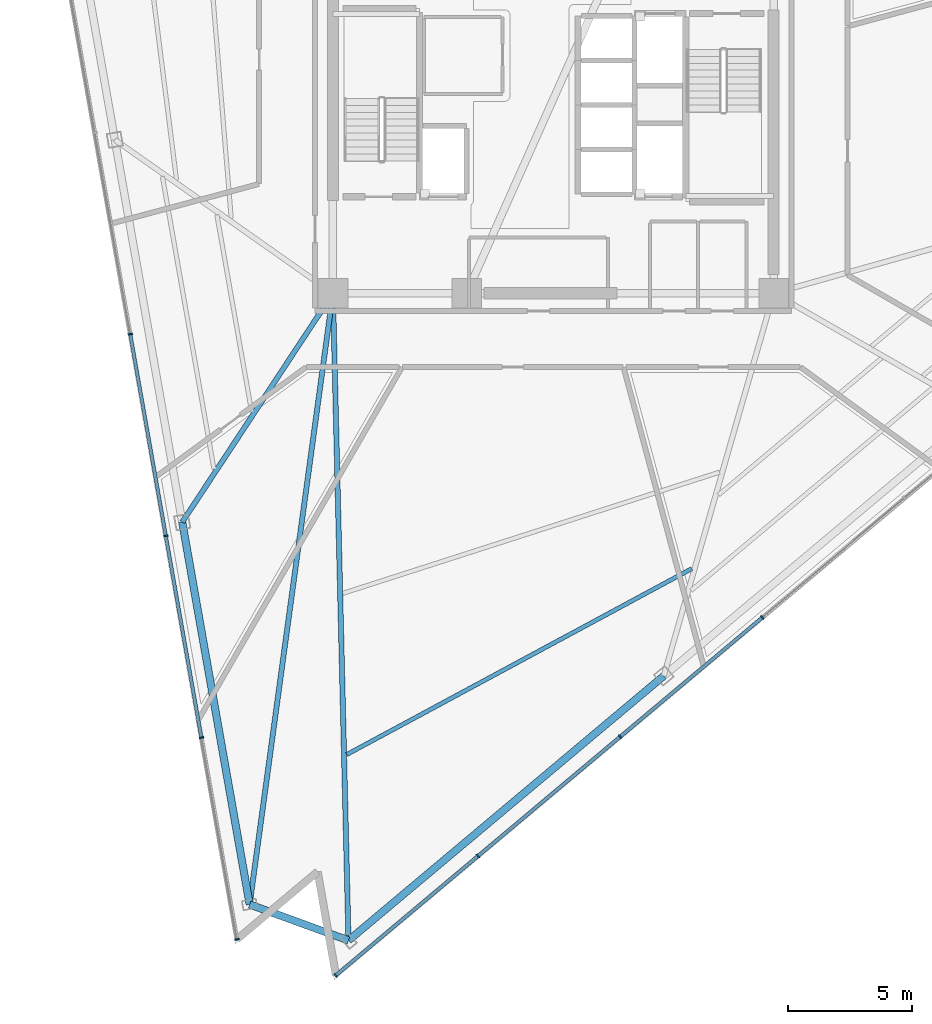
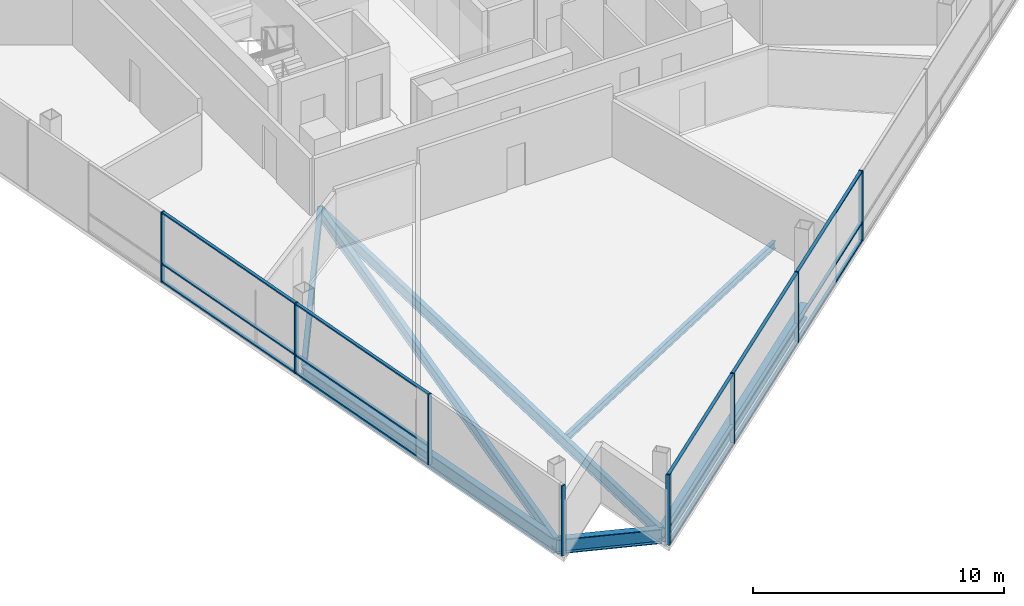
# One storey, part 2 of 15: 23 members, 7 beams, 2 elements without a shape of their own.
"""IFC4 building model written with IfcOpenShell, lengths in metres."""

from ifc_helpers import new_model, si_unit, direction, frame, origin, origin_2d, place, context, subcontext, project, spatial, rectangle, i_section, extrude, material, layer, layer_set, material_profile, profile_set, type_object, element, aggregate, save


model = new_model("IFC4")

# Units and contexts
model_context = context("Model", 3, precision=1e-05, world=origin(), true_north=direction((0.0, 1.0)))
body_context = subcontext(model_context, "Body", "Model", "MODEL_VIEW")
ifc_project = project(units=[si_unit("LENGTHUNIT", "METRE"), si_unit("AREAUNIT", "SQUARE_METRE"), si_unit("VOLUMEUNIT", "CUBIC_METRE"), si_unit("PLANEANGLEUNIT", "RADIAN"), si_unit("MASSUNIT", "GRAM", prefix="KILO")], contexts=[model_context])

# Site, building, storey
site_placement = place(None, origin())
site = spatial("IfcSite", under=ifc_project, at=site_placement, CompositionType="ELEMENT")
building_placement = place(site_placement, origin())
building = spatial("IfcBuilding", under=site, at=building_placement, Name="Tharavind Bronze Gate", CompositionType="ELEMENT")
storey_placement = place(building_placement, frame((0.0, 0.0, 177.699951171875)))
storey = spatial("IfcBuildingStorey", under=building, at=storey_placement, Name="L45", CompositionType="ELEMENT", Elevation=177.699951171875)

# Curtain wall, members
ifc_material_1 = material(Name="Anodised Bronze Aluminium", Category="aluminium")
ifc_layer = layer(ifc_material_1, 0.219970703125)
ifc_layer_set = layer_set([ifc_layer], Name="Anodised Bronze Aluminium")
curtain_wall_type = type_object("IfcCurtainWallType", Name="UNITISED CURTAIN WALL MID OFFICE", PredefinedType="USERDEFINED", material=ifc_layer_set)
curtain_wall_1_placement = place(storey_placement, origin())
curtain_wall_1 = element("IfcCurtainWall", 1, at=curtain_wall_1_placement, inside=storey, type_object=curtain_wall_type, Name="L45 unitised curtain wall mid office CW-L45-S1", ObjectType="UNITISED CURTAIN WALL", PredefinedType="USERDEFINED")
member_type_1 = type_object("IfcMemberType", Name="CURTAIN WALL BRONZE MULLION 65X180", PredefinedType="MULLION", material=ifc_material_1)
member_1_placement = place(storey_placement, frame((-17.086669921875, -9.250732421875, 0.0), z_axis=(0.0, 0.0, 1.0), x_axis=(0.173648177667, -0.984807753012, 0.0)))
member_1 = element("IfcMember", 2, at=member_1_placement, type_object=member_type_1, Name="CW-L45-S1 mullion 4", PredefinedType="MULLION", context=body_context, shape_type="SweptSolid", body=[
    extrude(rectangle(XDim=0.06494140625, YDim=0.179931640625, at=origin_2d()), origin(), (0.0, 0.0, 1.0), 3.419921875),
])
member_2_placement = place(storey_placement, frame((-15.650146484375, -17.3984375, 0.0), z_axis=(0.0, 0.0, 1.0), x_axis=(0.173648177667, -0.984807753012, 0.0)))
member_2 = element("IfcMember", 3, at=member_2_placement, type_object=member_type_1, Name="CW-L45-S1 mullion 5", PredefinedType="MULLION", context=body_context, shape_type="SweptSolid", body=[
    extrude(rectangle(XDim=0.06494140625, YDim=0.179931640625, at=origin_2d()), origin(), (0.0, 0.0, 1.0), 3.419921875),
])
member_3_placement = place(storey_placement, frame((-14.21337890625, -25.546142578125, 0.0), z_axis=(0.0, 0.0, 1.0), x_axis=(0.173648177667, -0.984807753012, 0.0)))
member_3 = element("IfcMember", 4, at=member_3_placement, type_object=member_type_1, Name="CW-L45-S1 mullion 6", PredefinedType="MULLION", context=body_context, shape_type="SweptSolid", body=[
    extrude(rectangle(XDim=0.06494140625, YDim=0.179931640625, at=origin_2d()), origin(), (0.0, 0.0, 1.0), 3.419921875),
])
member_4_placement = place(storey_placement, frame((-12.77685546875, -33.69384765625, 0.0), z_axis=(0.0, 0.0, 1.0), x_axis=(0.173648177667, -0.984807753012, 0.0)))
member_4 = element("IfcMember", 5, at=member_4_placement, type_object=member_type_1, Name="CW-L45-S1 mullion 7", PredefinedType="MULLION", context=body_context, shape_type="SweptSolid", body=[
    extrude(rectangle(XDim=0.06494140625, YDim=0.179931640625, at=origin_2d()), origin(), (0.0, 0.0, 1.0), 3.419921875),
])

curtain_wall_2_placement = place(storey_placement, origin())
curtain_wall_2 = element("IfcCurtainWall", 6, at=curtain_wall_2_placement, inside=storey, type_object=curtain_wall_type, Name="L45 unitised curtain wall mid office CW-L45-S2", ObjectType="UNITISED CURTAIN WALL", PredefinedType="USERDEFINED")
member_5_placement = place(storey_placement, frame((-8.784912109375, -35.146728515625, 0.0), z_axis=(0.0, 0.0, 1.0), x_axis=(0.766043321242, 0.642788946685, 0.0)))
member_5 = element("IfcMember", 7, at=member_5_placement, type_object=member_type_1, Name="CW-L45-S2 mullion 1", PredefinedType="MULLION", context=body_context, shape_type="SweptSolid", body=[
    extrude(rectangle(XDim=0.06494140625, YDim=0.179931640625, at=origin_2d()), origin(), (0.0, 0.0, 1.0), 3.419921875),
])
member_6_placement = place(storey_placement, frame((-3.042724609375, -30.328369140625, 0.0), z_axis=(0.0, 0.0, 1.0), x_axis=(0.766043321242, 0.642788946685, 0.0)))
member_6 = element("IfcMember", 8, at=member_6_placement, type_object=member_type_1, Name="CW-L45-S2 mullion 2", PredefinedType="MULLION", context=body_context, shape_type="SweptSolid", body=[
    extrude(rectangle(XDim=0.06494140625, YDim=0.179931640625, at=origin_2d()), origin(), (0.0, 0.0, 1.0), 3.419921875),
])
member_7_placement = place(storey_placement, frame((2.69970703125, -25.510009765625, 0.0), z_axis=(0.0, 0.0, 1.0), x_axis=(0.766043321242, 0.642788946685, 0.0)))
member_7 = element("IfcMember", 9, at=member_7_placement, type_object=member_type_1, Name="CW-L45-S2 mullion 3", PredefinedType="MULLION", context=body_context, shape_type="SweptSolid", body=[
    extrude(rectangle(XDim=0.06494140625, YDim=0.179931640625, at=origin_2d()), origin(), (0.0, 0.0, 1.0), 3.419921875),
])
member_8_placement = place(storey_placement, frame((8.44189453125, -20.691650390625, 0.0), z_axis=(0.0, 0.0, 1.0), x_axis=(0.766043321242, 0.642788946685, 0.0)))
member_8 = element("IfcMember", 10, at=member_8_placement, type_object=member_type_1, Name="CW-L45-S2 mullion 4", PredefinedType="MULLION", context=body_context, shape_type="SweptSolid", body=[
    extrude(rectangle(XDim=0.06494140625, YDim=0.179931640625, at=origin_2d()), origin(), (0.0, 0.0, 1.0), 3.419921875),
])

# Member
member_type_2 = type_object("IfcMemberType", Name="CURTAIN WALL BRONZE TRANSOM 65X140", PredefinedType="USERDEFINED", material=ifc_material_1)
member_9_placement = place(storey_placement, frame((-16.368408203125, -13.32470703125, 0.0), z_axis=(0.0, 0.0, 1.0), x_axis=(0.173648177667, -0.984807753012, 0.0)))
member_9 = element("IfcMember", 11, at=member_9_placement, type_object=member_type_2, Name="CW-L45-S1 transom TB4", ObjectType="TRANSOM", PredefinedType="USERDEFINED", context=body_context, shape_type="SweptSolid", body=[
    extrude(rectangle(XDim=8.220458984375, YDim=0.139892578125, at=origin_2d()), origin(), (0.0, 0.0, 1.0), 0.06494140625),
])

member_10_placement = place(storey_placement, frame((-16.368408203125, -13.32470703125, 0.86767578125), z_axis=(0.0, 0.0, 1.0), x_axis=(0.173648177667, -0.984807753012, 0.0)))
member_10 = element("IfcMember", 12, at=member_10_placement, type_object=member_type_2, Name="CW-L45-S1 transom TS4", ObjectType="TRANSOM", PredefinedType="USERDEFINED", context=body_context, shape_type="SweptSolid", body=[
    extrude(rectangle(XDim=8.220458984375, YDim=0.139892578125, at=origin_2d()), origin(), (0.0, 0.0, 1.0), 0.06494140625),
])

member_11_placement = place(storey_placement, frame((-16.368408203125, -13.32470703125, 3.35498046875), z_axis=(0.0, 0.0, 1.0), x_axis=(0.173648177667, -0.984807753012, 0.0)))
member_11 = element("IfcMember", 13, at=member_11_placement, type_object=member_type_2, Name="CW-L45-S1 transom TT4", ObjectType="TRANSOM", PredefinedType="USERDEFINED", context=body_context, shape_type="SweptSolid", body=[
    extrude(rectangle(XDim=8.220458984375, YDim=0.139892578125, at=origin_2d()), origin(), (0.0, 0.0, 1.0), 0.06494140625),
])

member_12_placement = place(storey_placement, frame((-14.931884765625, -21.472412109375, 0.0), z_axis=(0.0, 0.0, 1.0), x_axis=(0.173648177667, -0.984807753012, 0.0)))
member_12 = element("IfcMember", 14, at=member_12_placement, type_object=member_type_2, Name="CW-L45-S1 transom TB5", ObjectType="TRANSOM", PredefinedType="USERDEFINED", context=body_context, shape_type="SweptSolid", body=[
    extrude(rectangle(XDim=8.220458984375, YDim=0.139892578125, at=origin_2d()), origin(), (0.0, 0.0, 1.0), 0.06494140625),
])

member_13_placement = place(storey_placement, frame((-14.931884765625, -21.472412109375, 0.86767578125), z_axis=(0.0, 0.0, 1.0), x_axis=(0.173648177667, -0.984807753012, 0.0)))
member_13 = element("IfcMember", 15, at=member_13_placement, type_object=member_type_2, Name="CW-L45-S1 transom TS5", ObjectType="TRANSOM", PredefinedType="USERDEFINED", context=body_context, shape_type="SweptSolid", body=[
    extrude(rectangle(XDim=8.220458984375, YDim=0.139892578125, at=origin_2d()), origin(), (0.0, 0.0, 1.0), 0.06494140625),
])

member_14_placement = place(storey_placement, frame((-14.931884765625, -21.472412109375, 3.35498046875), z_axis=(0.0, 0.0, 1.0), x_axis=(0.173648177667, -0.984807753012, 0.0)))
member_14 = element("IfcMember", 16, at=member_14_placement, type_object=member_type_2, Name="CW-L45-S1 transom TT5", ObjectType="TRANSOM", PredefinedType="USERDEFINED", context=body_context, shape_type="SweptSolid", body=[
    extrude(rectangle(XDim=8.220458984375, YDim=0.139892578125, at=origin_2d()), origin(), (0.0, 0.0, 1.0), 0.06494140625),
])

aggregate(curtain_wall_1, [member_1, member_2, member_3, member_4, member_9, member_10, member_11, member_12, member_13, member_14])

member_15_placement = place(storey_placement, frame((-5.913818359375, -32.737548828125, 0.0), z_axis=(0.0, 0.0, 1.0), x_axis=(0.766043321242, 0.642788946685, 0.0)))
member_15 = element("IfcMember", 17, at=member_15_placement, type_object=member_type_2, Name="CW-L45-S2 transom TB1", ObjectType="TRANSOM", PredefinedType="USERDEFINED", context=body_context, shape_type="SweptSolid", body=[
    extrude(rectangle(XDim=7.443115234375, YDim=0.139892578125, at=origin_2d()), origin(), (0.0, 0.0, 1.0), 0.06494140625),
])

member_16_placement = place(storey_placement, frame((-5.913818359375, -32.737548828125, 0.86767578125), z_axis=(0.0, 0.0, 1.0), x_axis=(0.766043321242, 0.642788946685, 0.0)))
member_16 = element("IfcMember", 18, at=member_16_placement, type_object=member_type_2, Name="CW-L45-S2 transom TS1", ObjectType="TRANSOM", PredefinedType="USERDEFINED", context=body_context, shape_type="SweptSolid", body=[
    extrude(rectangle(XDim=7.443115234375, YDim=0.139892578125, at=origin_2d()), origin(), (0.0, 0.0, 1.0), 0.06494140625),
])

member_17_placement = place(storey_placement, frame((-5.913818359375, -32.737548828125, 3.35498046875), z_axis=(0.0, 0.0, 1.0), x_axis=(0.766043321242, 0.642788946685, 0.0)))
member_17 = element("IfcMember", 19, at=member_17_placement, type_object=member_type_2, Name="CW-L45-S2 transom TT1", ObjectType="TRANSOM", PredefinedType="USERDEFINED", context=body_context, shape_type="SweptSolid", body=[
    extrude(rectangle(XDim=7.443115234375, YDim=0.139892578125, at=origin_2d()), origin(), (0.0, 0.0, 1.0), 0.06494140625),
])

member_18_placement = place(storey_placement, frame((-0.171630859375, -27.919189453125, 0.0), z_axis=(0.0, 0.0, 1.0), x_axis=(0.766043321242, 0.642788946685, 0.0)))
member_18 = element("IfcMember", 20, at=member_18_placement, type_object=member_type_2, Name="CW-L45-S2 transom TB2", ObjectType="TRANSOM", PredefinedType="USERDEFINED", context=body_context, shape_type="SweptSolid", body=[
    extrude(rectangle(XDim=7.443115234375, YDim=0.139892578125, at=origin_2d()), origin(), (0.0, 0.0, 1.0), 0.06494140625),
])

member_19_placement = place(storey_placement, frame((-0.171630859375, -27.919189453125, 0.86767578125), z_axis=(0.0, 0.0, 1.0), x_axis=(0.766043321242, 0.642788946685, 0.0)))
member_19 = element("IfcMember", 21, at=member_19_placement, type_object=member_type_2, Name="CW-L45-S2 transom TS2", ObjectType="TRANSOM", PredefinedType="USERDEFINED", context=body_context, shape_type="SweptSolid", body=[
    extrude(rectangle(XDim=7.443115234375, YDim=0.139892578125, at=origin_2d()), origin(), (0.0, 0.0, 1.0), 0.06494140625),
])

member_20_placement = place(storey_placement, frame((-0.171630859375, -27.919189453125, 3.35498046875), z_axis=(0.0, 0.0, 1.0), x_axis=(0.766043321242, 0.642788946685, 0.0)))
member_20 = element("IfcMember", 22, at=member_20_placement, type_object=member_type_2, Name="CW-L45-S2 transom TT2", ObjectType="TRANSOM", PredefinedType="USERDEFINED", context=body_context, shape_type="SweptSolid", body=[
    extrude(rectangle(XDim=7.443115234375, YDim=0.139892578125, at=origin_2d()), origin(), (0.0, 0.0, 1.0), 0.06494140625),
])

member_21_placement = place(storey_placement, frame((5.57080078125, -23.100830078125, 0.0), z_axis=(0.0, 0.0, 1.0), x_axis=(0.766043321242, 0.642788946685, 0.0)))
member_21 = element("IfcMember", 23, at=member_21_placement, type_object=member_type_2, Name="CW-L45-S2 transom TB3", ObjectType="TRANSOM", PredefinedType="USERDEFINED", context=body_context, shape_type="SweptSolid", body=[
    extrude(rectangle(XDim=7.443115234375, YDim=0.139892578125, at=origin_2d()), origin(), (0.0, 0.0, 1.0), 0.06494140625),
])

member_22_placement = place(storey_placement, frame((5.57080078125, -23.100830078125, 0.86767578125), z_axis=(0.0, 0.0, 1.0), x_axis=(0.766043321242, 0.642788946685, 0.0)))
member_22 = element("IfcMember", 24, at=member_22_placement, type_object=member_type_2, Name="CW-L45-S2 transom TS3", ObjectType="TRANSOM", PredefinedType="USERDEFINED", context=body_context, shape_type="SweptSolid", body=[
    extrude(rectangle(XDim=7.443115234375, YDim=0.139892578125, at=origin_2d()), origin(), (0.0, 0.0, 1.0), 0.06494140625),
])

member_23_placement = place(storey_placement, frame((5.57080078125, -23.100830078125, 3.35498046875), z_axis=(0.0, 0.0, 1.0), x_axis=(0.766043321242, 0.642788946685, 0.0)))
member_23 = element("IfcMember", 25, at=member_23_placement, type_object=member_type_2, Name="CW-L45-S2 transom TT3", ObjectType="TRANSOM", PredefinedType="USERDEFINED", context=body_context, shape_type="SweptSolid", body=[
    extrude(rectangle(XDim=7.443115234375, YDim=0.139892578125, at=origin_2d()), origin(), (0.0, 0.0, 1.0), 0.06494140625),
])

aggregate(curtain_wall_2, [member_5, member_6, member_7, member_8, member_15, member_16, member_17, member_18, member_19, member_20, member_21, member_22, member_23])

# Beams
ifc_material_2 = material(Name="Steel S355", Category="steel")
ifc_material_profile_1 = material_profile(ifc_material_2, i_section(OverallWidth=0.2099609375, OverallDepth=0.550048828125, WebThickness=0.010986328125, FlangeThickness=0.01708984375, at=origin_2d()), Name="IPE550")
ifc_profile_set_1 = profile_set([ifc_material_profile_1], Name="Steel S355")
beam_type_1 = type_object("IfcBeamType", Name="PRIMARY GIRDER IPE550", PredefinedType="USERDEFINED", material=ifc_profile_set_1)
beam_1_placement = place(storey_placement, frame((-14.98681640625, -16.841796875, -0.454833984375), z_axis=(0.550048368659, 0.835132799102, 0.0), x_axis=(-0.835132799102, 0.550048368659, 0.0)))
element("IfcBeam", 26, at=beam_1_placement, inside=storey, type_object=beam_type_1, Name="L45 primary girder ipe550 BM-L45-RAD03", ObjectType="GIRDER", PredefinedType="USERDEFINED", context=body_context, shape_type="SweptSolid", body=[
    extrude(i_section(OverallWidth=0.2099609375, OverallDepth=0.550048828125, WebThickness=0.010986328125, FlangeThickness=0.01708984375, at=origin_2d()), origin(), (0.0, 0.0, 1.0), 11.066162109375),
])
beam_2_placement = place(storey_placement, frame((-12.263916015625, -32.2841796875, -0.454833984375), z_axis=(0.135034486087, 0.99084089922, 0.0), x_axis=(-0.99084089922, 0.135034486087, 0.0)))
element("IfcBeam", 27, at=beam_2_placement, inside=storey, type_object=beam_type_1, Name="L45 primary girder ipe550 BM-L45-RAD04", ObjectType="GIRDER", PredefinedType="USERDEFINED", context=body_context, shape_type="SweptSolid", body=[
    extrude(i_section(OverallWidth=0.2099609375, OverallDepth=0.550048828125, WebThickness=0.010986328125, FlangeThickness=0.01708984375, at=origin_2d()), origin(), (0.0, 0.0, 1.0), 24.912353515625),
])
beam_3_placement = place(storey_placement, frame((-8.27197265625, -33.737060546875, -0.454833984375), z_axis=(-0.024017654771, 0.999711534523, 0.0), x_axis=(-0.999711534523, -0.024017654771, 0.0)))
element("IfcBeam", 28, at=beam_3_placement, inside=storey, type_object=beam_type_1, Name="L45 primary girder ipe550 BM-L45-RAD05", ObjectType="GIRDER", PredefinedType="USERDEFINED", context=body_context, shape_type="SweptSolid", body=[
    extrude(i_section(OverallWidth=0.2099609375, OverallDepth=0.550048828125, WebThickness=0.010986328125, FlangeThickness=0.01708984375, at=origin_2d()), origin(), (0.0, 0.0, 1.0), 26.14453125),
])
ifc_material_profile_2 = material_profile(ifc_material_2, i_section(OverallWidth=0.300048828125, OverallDepth=0.699951171875, WebThickness=0.01708984375, FlangeThickness=0.031982421875, at=origin_2d()), Name="HE700B")
ifc_profile_set_2 = profile_set([ifc_material_profile_2], Name="Steel S355")
beam_type_2 = type_object("IfcBeamType", Name="RING GIRDER HE700B", PredefinedType="USERDEFINED", material=ifc_profile_set_2)
beam_4_placement = place(storey_placement, frame((-14.98681640625, -16.841796875, -0.530029296875), z_axis=(0.173647661488, -0.984807844028, 0.0), x_axis=(0.984807844028, 0.173647661488, 0.0)))
element("IfcBeam", 29, at=beam_4_placement, inside=storey, type_object=beam_type_2, Name="L45 ring girder he700b BM-L45-PRG03", ObjectType="GIRDER", PredefinedType="USERDEFINED", context=body_context, shape_type="SweptSolid", body=[
    extrude(i_section(OverallWidth=0.300048828125, OverallDepth=0.699951171875, WebThickness=0.01708984375, FlangeThickness=0.031982421875, at=origin_2d()), origin(), (0.0, 0.0, 1.0), 15.6806640625),
])
beam_5_placement = place(storey_placement, frame((-12.263916015625, -32.2841796875, -0.530029296875), z_axis=(0.939697742591, -0.342006070953, 0.0), x_axis=(0.342006070953, 0.939697742591, 0.0)))
element("IfcBeam", 30, at=beam_5_placement, inside=storey, type_object=beam_type_2, Name="L45 ring girder he700b BM-L45-PRG04", ObjectType="GIRDER", PredefinedType="USERDEFINED", context=body_context, shape_type="SweptSolid", body=[
    extrude(i_section(OverallWidth=0.300048828125, OverallDepth=0.699951171875, WebThickness=0.01708984375, FlangeThickness=0.031982421875, at=origin_2d()), origin(), (0.0, 0.0, 1.0), 4.248046875),
])
beam_6_placement = place(storey_placement, frame((-8.27197265625, -33.737060546875, -0.530029296875), z_axis=(0.766042947444, 0.642789392159, 0.0), x_axis=(-0.642789392159, 0.766042947444, 0.0)))
element("IfcBeam", 31, at=beam_6_placement, inside=storey, type_object=beam_type_2, Name="L45 ring girder he700b BM-L45-PRG05", ObjectType="GIRDER", PredefinedType="USERDEFINED", context=body_context, shape_type="SweptSolid", body=[
    extrude(i_section(OverallWidth=0.300048828125, OverallDepth=0.699951171875, WebThickness=0.01708984375, FlangeThickness=0.031982421875, at=origin_2d()), origin(), (0.0, 0.0, 1.0), 16.624755859375),
])
ifc_material_profile_3 = material_profile(ifc_material_2, i_section(OverallWidth=0.169921875, OverallDepth=0.360107421875, WebThickness=0.008056640625, FlangeThickness=0.0126953125, at=origin_2d()), Name="IPE360")
ifc_profile_set_3 = profile_set([ifc_material_profile_3], Name="Steel S355")
beam_type_3 = type_object("IfcBeamType", Name="SECONDARY FLOOR JOIST IPE360", PredefinedType="JOIST", material=ifc_profile_set_3)
beam_7_placement = place(storey_placement, frame((-8.34375, -26.230224609375, -0.35986328125), z_axis=(0.880319056921, 0.474382080207, 0.0), x_axis=(-0.474382080207, 0.880319056921, 0.0)))
element("IfcBeam", 32, at=beam_7_placement, inside=storey, type_object=beam_type_3, Name="L45 secondary floor joist ipe360 BM-L45-JSTB05", PredefinedType="JOIST", context=body_context, shape_type="SweptSolid", body=[
    extrude(i_section(OverallWidth=0.169921875, OverallDepth=0.360107421875, WebThickness=0.008056640625, FlangeThickness=0.0126953125, at=origin_2d()), origin(), (0.0, 0.0, 1.0), 15.833740234375),
])

save(model, "model.ifc")
